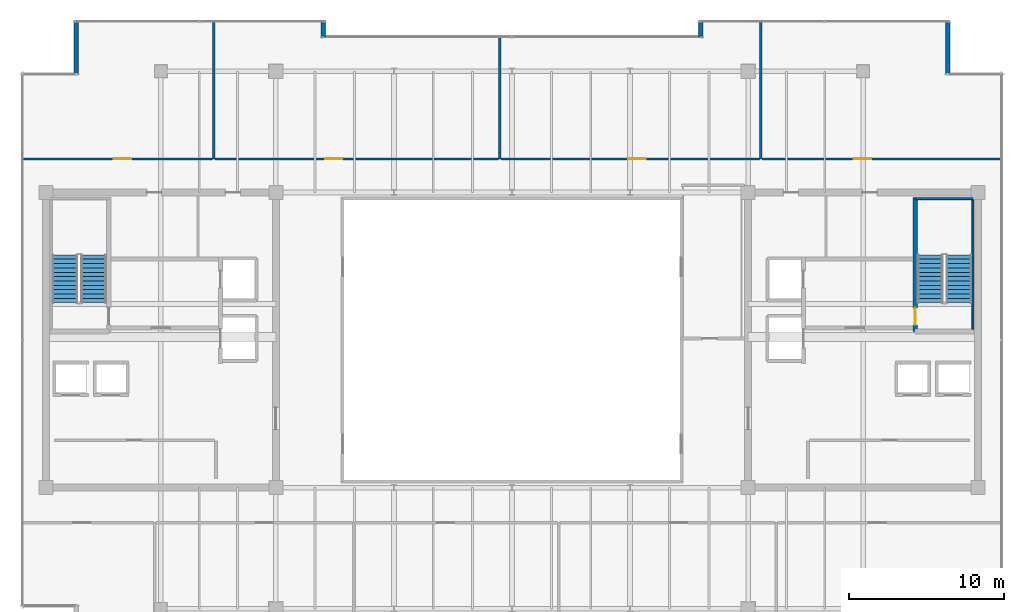
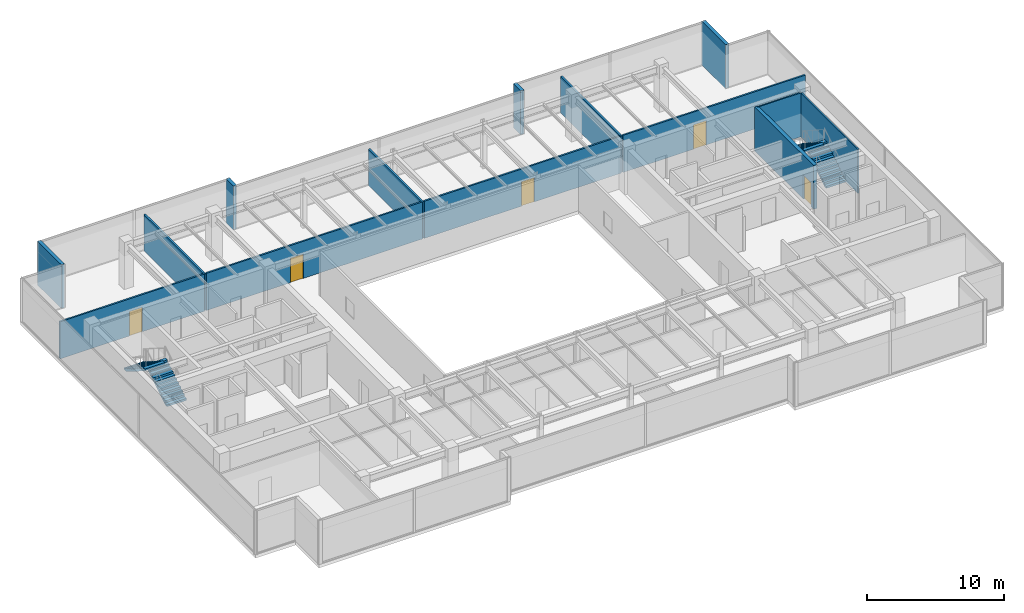
# One storey, part 29 of 34: 14 walls, 5 doors, 4 stair flights, 5 openings, 2 elements without a shape of their own.
"""IFC4 building model written with IfcOpenShell, lengths in metres."""

from ifc_helpers import new_model, si_unit, direction, frame, frame_2d, origin, place, context, subcontext, project, spatial, polyline, rectangle, outline, extrude, source, transform, mapped, material, layer, layer_set, type_object, type_shapes, element, fill, aggregate, save


model = new_model("IFC4")

# Units and contexts
model_context = context("Model", 3, precision=1e-05, world=origin(), true_north=direction((0.0, 1.0)))
body_context = subcontext(model_context, "Body", "Model", "MODEL_VIEW")
ifc_project = project(units=[si_unit("LENGTHUNIT", "METRE"), si_unit("AREAUNIT", "SQUARE_METRE"), si_unit("VOLUMEUNIT", "CUBIC_METRE"), si_unit("PLANEANGLEUNIT", "RADIAN"), si_unit("MASSUNIT", "GRAM", prefix="KILO")], contexts=[model_context])

# Site, building, storey
site_placement = place(None, origin())
site = spatial("IfcSite", under=ifc_project, at=site_placement, CompositionType="ELEMENT")
building_placement = place(site_placement, origin())
building = spatial("IfcBuilding", under=site, at=building_placement, Name="Haelvirn Gate Laboratories", CompositionType="ELEMENT")
storey_placement = place(building_placement, frame((0.0, 0.0, 322.800048828125)))
storey = spatial("IfcBuildingStorey", under=building, at=storey_placement, Name="L77", CompositionType="ELEMENT", Elevation=322.800048828125)

# Walls
ifc_material_1 = material(Name="Thermally-broken bronze aluminium rainscreen & mineral wool", Category="aluminium")
ifc_layer_1 = layer(ifc_material_1, 0.280029296875, Name="EW-TERR-280")
ifc_layer_set_1 = layer_set([ifc_layer_1], Name="Thermally-broken bronze aluminium rainscreen & mineral wool")
wall_type_1 = type_object("IfcWallType", Name="EW-TERR-280", PredefinedType="STANDARD", material=ifc_layer_set_1)
wall_1_placement = place(storey_placement, frame((65.4599609375, 41.412109375, 0.0), z_axis=(0.0, 0.0, 1.0), x_axis=(0.0, 1.0, 0.0)))
element("IfcWall", 1, at=wall_1_placement, inside=storey, type_object=wall_type_1, Name="L77 Atrium Recess Bronze Return Wall 09", PredefinedType="STANDARD", context=body_context, shape_type="SweptSolid", body=[
    extrude(rectangle(XDim=3.48779296875, YDim=0.280029296875, at=frame_2d((1.743896484375, 0.0))), origin(), (0.0, 0.0, 1.0), 3.919921875),
])
for number, where, z_axis, x_axis, name in (
    (2, (49.5400390625, 44.89990234375, 0.0), (0.0, 0.0, 1.0), (0.0, -1.0, 0.0), "L77 Atrium Recess Bronze Return Wall 11"),
    (3, (25.260009765625, 43.806884765625, 0.0), (0.0, 0.0, 1.0), (0.0, 1.0, 0.0), "L77 Atrium Recess Bronze Return Wall 13"),
):
    element("IfcWall", number, at=place(storey_placement, frame(where, z_axis=z_axis, x_axis=x_axis)), inside=storey, type_object=wall_type_1, Name=name, PredefinedType="STANDARD", context=body_context, shape_type="SweptSolid", body=[
        extrude(rectangle(XDim=1.093017578125, YDim=0.280029296875, at=frame_2d((0.54638671875, 0.0))), origin(), (0.0, 0.0, 1.0), 3.919921875),
    ])
wall_2_placement = place(storey_placement, frame((9.340087890625, 44.89990234375, 0.0), z_axis=(0.0, 0.0, 1.0), x_axis=(0.0, -1.0, 0.0)))
element("IfcWall", 4, at=wall_2_placement, inside=storey, type_object=wall_type_1, Name="L77 Atrium Recess Bronze Return Wall 15", PredefinedType="STANDARD", context=body_context, shape_type="SweptSolid", body=[
    extrude(rectangle(XDim=3.48779296875, YDim=0.280029296875, at=frame_2d((1.743896484375, 0.0))), origin(), (0.0, 0.0, 1.0), 3.919921875),
])
ifc_material_2 = material(Name="Double-layer acoustic gypsum laboratory partition", Category="gypsum")
ifc_layer_2 = layer(ifc_material_2, 0.159912109375, Name="IW-ACOUST-160")
ifc_layer_set_2 = layer_set([ifc_layer_2], Name="Double-layer acoustic gypsum laboratory partition")
wall_type_2 = type_object("IfcWallType", Name="IW-ACOUST-160", PredefinedType="PARTITIONING", material=ifc_layer_set_2)
wall_3_placement = place(storey_placement, frame((18.199951171875, 35.9599609375, 0.0), z_axis=(0.0, 0.0, 1.0), x_axis=(0.0, 1.0, 0.0)))
element("IfcWall", 5, at=wall_3_placement, inside=storey, type_object=wall_type_2, Name="L77 Interior Wall IW-L77-NDIV-01", PredefinedType="PARTITIONING", context=body_context, shape_type="SweptSolid", body=[
    extrude(rectangle(XDim=8.830078125, YDim=0.159912109375, at=frame_2d((4.4150390625, 0.0))), origin(), (0.0, 0.0, 1.0), 3.2548828125),
])
wall_4_placement = place(storey_placement, frame((36.60009765625, 35.9599609375, 0.0), z_axis=(0.0, 0.0, 1.0), x_axis=(0.0, 1.0, 0.0)))
element("IfcWall", 6, at=wall_4_placement, inside=storey, type_object=wall_type_2, Name="L77 Interior Wall IW-L77-NDIV-02", PredefinedType="PARTITIONING", context=body_context, shape_type="SweptSolid", body=[
    extrude(rectangle(XDim=7.830078125, YDim=0.159912109375, at=frame_2d((3.9150390625, 0.0))), origin(), (0.0, 0.0, 1.0), 3.2548828125),
])
wall_5_placement = place(storey_placement, frame((53.39990234375, 35.9599609375, 0.0), z_axis=(0.0, 0.0, 1.0), x_axis=(0.0, 1.0, 0.0)))
element("IfcWall", 7, at=wall_5_placement, inside=storey, type_object=wall_type_2, Name="L77 Interior Wall IW-L77-NDIV-03", PredefinedType="PARTITIONING", context=body_context, shape_type="SweptSolid", body=[
    extrude(rectangle(XDim=8.830078125, YDim=0.159912109375, at=frame_2d((4.4150390625, 0.0))), origin(), (0.0, 0.0, 1.0), 3.2548828125),
])

# Wall, opening, door
ifc_material_3 = material(Name="Acoustic mineral-wool gypsum board partition", Category="gypsum")
ifc_layer_3 = layer(ifc_material_3, 0.139892578125, Name="IW-PART-140")
ifc_layer_set_3 = layer_set([ifc_layer_3], Name="Acoustic mineral-wool gypsum board partition")
wall_type_3 = type_object("IfcWallType", Name="IW-PART-140", PredefinedType="PARTITIONING", material=ifc_layer_set_3)
wall_6_placement = place(storey_placement, frame((5.909912109375, 35.9599609375, 0.0), z_axis=(0.0, 0.0, 1.0), x_axis=(1.0, 0.0, 0.0)))
wall_6 = element("IfcWall", 8, at=wall_6_placement, inside=storey, type_object=wall_type_3, Name="L77 Interior Wall IW-L77-NCORR-01", PredefinedType="PARTITIONING", context=body_context, shape_type="SweptSolid", body=[
    extrude(rectangle(XDim=12.210205078125, YDim=0.139892578125, at=frame_2d((6.10498046875, 0.0))), origin(), (0.0, 0.0, 1.0), 3.31689453125),
])
opening_1_placement = place(wall_6_placement, frame((5.8671875, 0.0, 0.0)))
opening_1 = element("IfcOpeningElement", 9, at=opening_1_placement, cuts=wall_6, Name="Opening D1", PredefinedType="OPENING", context=body_context, shape_type="SweptSolid", body=[
    extrude(rectangle(XDim=1.10009765625, YDim=2.179931640625, at=frame_2d((0.550048828125, 1.08984375))), frame((0.0, 0.080078125, 0.0), z_axis=(0.0, -1.0, 0.0), x_axis=(1.0, 0.0, 0.0)), (0.0, 0.0, 1.0), 0.159912109375),
])
ifc_material_4 = material(Name="Vision-panel acoustic solid-core timber lab door", Category="wood")
door_type_1 = type_object("IfcDoorType", Name="DR-LAB-1100", OperationType="NOTDEFINED", PredefinedType="DOOR", material=ifc_material_4)
shared_shape_1 = source(origin(), body_context, "Body", "SweptSolid", [
    extrude(rectangle(XDim=1.10009765625, YDim=2.179931640625, at=frame_2d((0.550048828125, 1.08984375))), frame((0.0, 0.02490234375, 0.0), z_axis=(0.0, -1.0, 0.0), x_axis=(1.0, 0.0, 0.0)), (0.0, 0.0, 1.0), 0.050048828125),
])
type_shapes(door_type_1, [shared_shape_1])
door_1_placement = place(opening_1_placement, origin())
door_1 = element("IfcDoor", 10, at=door_1_placement, inside=storey, type_object=door_type_1, Name="L77 Colloquium Conference Room Door N1", OperationType="SINGLE_SWING_LEFT", OverallHeight=2.179931640625, OverallWidth=1.10009765625, PredefinedType="DOOR", context=body_context, shape_type="MappedRepresentation", body=[
    mapped(shared_shape_1, transform((0.0, 0.0, 0.0), scale=1.0)),
])
fill(opening_1, door_1)

wall_7_placement = place(storey_placement, frame((18.280029296875, 35.9599609375, 0.0), z_axis=(0.0, 0.0, 1.0), x_axis=(1.0, 0.0, 0.0)))
wall_7 = element("IfcWall", 11, at=wall_7_placement, inside=storey, type_object=wall_type_3, Name="L77 Interior Wall IW-L77-NCORR-02", PredefinedType="PARTITIONING", context=body_context, shape_type="SweptSolid", body=[
    extrude(rectangle(XDim=18.239990234375, YDim=0.139892578125, at=frame_2d((9.1201171875, 0.0))), origin(), (0.0, 0.0, 1.0), 3.31689453125),
])
opening_2_placement = place(wall_7_placement, frame((7.09033203125, 0.0, 0.0)))
opening_2 = element("IfcOpeningElement", 12, at=opening_2_placement, cuts=wall_7, Name="Opening D1", PredefinedType="OPENING", context=body_context, shape_type="SweptSolid", body=[
    extrude(rectangle(XDim=1.10009765625, YDim=2.179931640625, at=frame_2d((0.550048828125, 1.08984375))), frame((0.0, 0.080078125, 0.0), z_axis=(0.0, -1.0, 0.0), x_axis=(1.0, 0.0, 0.0)), (0.0, 0.0, 1.0), 0.159912109375),
])
door_2_placement = place(opening_2_placement, origin())
door_2 = element("IfcDoor", 13, at=door_2_placement, inside=storey, type_object=door_type_1, Name="L77 Protocol Briefing Training Room Door N2", OperationType="SINGLE_SWING_RIGHT", OverallHeight=2.179931640625, OverallWidth=1.10009765625, PredefinedType="DOOR", context=body_context, shape_type="MappedRepresentation", body=[
    mapped(shared_shape_1, transform((0.0, 0.0, 0.0), scale=1.0)),
])
fill(opening_2, door_2)

wall_8_placement = place(storey_placement, frame((36.679931640625, 35.9599609375, 0.0), z_axis=(0.0, 0.0, 1.0), x_axis=(1.0, 0.0, 0.0)))
wall_8 = element("IfcWall", 14, at=wall_8_placement, inside=storey, type_object=wall_type_3, Name="L77 Interior Wall IW-L77-NCORR-03", PredefinedType="PARTITIONING", context=body_context, shape_type="SweptSolid", body=[
    extrude(rectangle(XDim=16.64013671875, YDim=0.139892578125, at=frame_2d((8.320068359375, 0.0))), origin(), (0.0, 0.0, 1.0), 3.31689453125),
])
opening_3_placement = place(wall_8_placement, frame((8.215087890625, 0.0, 0.0)))
opening_3 = element("IfcOpeningElement", 15, at=opening_3_placement, cuts=wall_8, Name="Opening D1", PredefinedType="OPENING", context=body_context, shape_type="SweptSolid", body=[
    extrude(rectangle(XDim=1.10009765625, YDim=2.179931640625, at=frame_2d((0.550048828125, 1.08984375))), frame((0.0, 0.080078125, 0.0), z_axis=(0.0, -1.0, 0.0), x_axis=(1.0, 0.0, 0.0)), (0.0, 0.0, 1.0), 0.159912109375),
])
door_3_placement = place(opening_3_placement, origin())
door_3 = element("IfcDoor", 16, at=door_3_placement, inside=storey, type_object=door_type_1, Name="L77 Peer-Review Seminar Room Door N3", OperationType="SINGLE_SWING_LEFT", OverallHeight=2.179931640625, OverallWidth=1.10009765625, PredefinedType="DOOR", context=body_context, shape_type="MappedRepresentation", body=[
    mapped(shared_shape_1, transform((0.0, 0.0, 0.0), scale=1.0)),
])
fill(opening_3, door_3)

wall_9_placement = place(storey_placement, frame((53.47998046875, 35.9599609375, 0.0), z_axis=(0.0, 0.0, 1.0), x_axis=(1.0, 0.0, 0.0)))
wall_9 = element("IfcWall", 17, at=wall_9_placement, inside=storey, type_object=wall_type_3, Name="L77 Interior Wall IW-L77-NCORR-04", PredefinedType="PARTITIONING", context=body_context, shape_type="SweptSolid", body=[
    extrude(rectangle(XDim=15.409912109375, YDim=0.139892578125, at=frame_2d((7.705078125, 0.0))), origin(), (0.0, 0.0, 1.0), 3.31689453125),
])
opening_4_placement = place(wall_9_placement, frame((5.93017578125, 0.0, 0.0)))
opening_4 = element("IfcOpeningElement", 18, at=opening_4_placement, cuts=wall_9, Name="Opening D1", PredefinedType="OPENING", context=body_context, shape_type="SweptSolid", body=[
    extrude(rectangle(XDim=1.10009765625, YDim=2.179931640625, at=frame_2d((0.550048828125, 1.08984375))), frame((0.0, 0.080078125, 0.0), z_axis=(0.0, -1.0, 0.0), x_axis=(1.0, 0.0, 0.0)), (0.0, 0.0, 1.0), 0.159912109375),
])
door_4_placement = place(opening_4_placement, origin())
door_4 = element("IfcDoor", 19, at=door_4_placement, inside=storey, type_object=door_type_1, Name="L77 Scientific Reference Library Door N4", OperationType="SINGLE_SWING_RIGHT", OverallHeight=2.179931640625, OverallWidth=1.10009765625, PredefinedType="DOOR", context=body_context, shape_type="MappedRepresentation", body=[
    mapped(shared_shape_1, transform((0.0, 0.0, 0.0), scale=1.0)),
])
fill(opening_4, door_4)

# Walls
ifc_material_5 = material(Name="Concrete C50/60", Category="concrete")
ifc_layer_4 = layer(ifc_material_5, 0.1201171875, Name="SW-LINER-120")
ifc_layer_set_4 = layer_set([ifc_layer_4], Name="Concrete C50/60")
wall_type_4 = type_object("IfcWallType", Name="SW-LINER-120", PredefinedType="SOLIDWALL", material=ifc_layer_set_4)
wall_10_placement = place(storey_placement, frame((63.35009765625, 33.39990234375, 0.0), z_axis=(0.0, 0.0, 1.0), x_axis=(1.0, 0.0, 0.0)))
element("IfcWall", 20, at=wall_10_placement, inside=storey, type_object=wall_type_4, Name="L77 E Core Stair Shaft Liner Wall N", PredefinedType="SOLIDWALL", context=body_context, shape_type="SweptSolid", body=[
    extrude(rectangle(XDim=3.719970703125, YDim=0.1201171875, at=frame_2d((1.85986328125, 0.0))), origin(), (0.0, 0.0, 1.0), 3.919921875),
])
wall_11_placement = place(storey_placement, frame((67.070068359375, 25.0, 0.0), z_axis=(0.0, 0.0, 1.0), x_axis=(0.0, 1.0, 0.0)))
element("IfcWall", 21, at=wall_11_placement, inside=storey, type_object=wall_type_4, Name="L77 E Core Stair Shaft Liner Wall OUT", PredefinedType="SOLIDWALL", context=body_context, shape_type="SweptSolid", body=[
    extrude(rectangle(XDim=8.320068359375, YDim=0.1201171875, at=frame_2d((4.16015625, 0.0))), origin(), (0.0, 0.0, 1.0), 3.919921875),
])

# Wall, opening, door
ifc_layer_5 = layer(ifc_material_5, 0.300048828125, Name="SW-STAIR-300")
ifc_layer_set_5 = layer_set([ifc_layer_5], Name="Concrete C50/60")
wall_type_5 = type_object("IfcWallType", Name="SW-STAIR-300", PredefinedType="SHEAR", material=ifc_layer_set_5)
wall_12_placement = place(storey_placement, frame((63.35009765625, 24.85009765625, 0.0), z_axis=(0.0, 0.0, 1.0), x_axis=(0.0, 1.0, 0.0)))
wall_12 = element("IfcWall", 22, at=wall_12_placement, inside=storey, type_object=wall_type_5, Name="L77 E Core Stair Shaft Structural Wall IN", PredefinedType="SHEAR", context=body_context, shape_type="SweptSolid", body=[
    extrude(rectangle(XDim=8.6298828125, YDim=0.300048828125, at=frame_2d((4.31494140625, 0.0))), origin(), (0.0, 0.0, 1.0), 3.919921875),
])
opening_5_placement = place(wall_12_placement, frame((0.419921875, 0.0, 0.0)))
opening_5 = element("IfcOpeningElement", 23, at=opening_5_placement, cuts=wall_12, Name="Opening FD3", PredefinedType="OPENING", context=body_context, shape_type="SweptSolid", body=[
    extrude(rectangle(XDim=1.10009765625, YDim=2.14990234375, at=frame_2d((0.550048828125, 1.074951171875))), frame((0.0, 0.16015625, 0.0), z_axis=(0.0, -1.0, 0.0), x_axis=(1.0, 0.0, 0.0)), (0.0, 0.0, 1.0), 0.320068359375),
])
ifc_material_6 = material(Name="Fire-rated steel SM355 escape stair door", Category="steel")
door_type_2 = type_object("IfcDoorType", Name="DR-FD-1100", OperationType="NOTDEFINED", PredefinedType="DOOR", material=ifc_material_6)
shared_shape_2 = source(origin(), body_context, "Body", "SweptSolid", [
    extrude(rectangle(XDim=1.10009765625, YDim=2.14990234375, at=frame_2d((0.550048828125, 1.074951171875))), frame((0.0, 0.02490234375, 0.0), z_axis=(0.0, -1.0, 0.0), x_axis=(1.0, 0.0, 0.0)), (0.0, 0.0, 1.0), 0.050048828125),
])
type_shapes(door_type_2, [shared_shape_2])
door_5_placement = place(opening_5_placement, origin())
door_5 = element("IfcDoor", 24, at=door_5_placement, inside=storey, type_object=door_type_2, Name="L77 Escape Stair ST2 Fire Door", OperationType="SINGLE_SWING_RIGHT", OverallHeight=2.14990234375, OverallWidth=1.10009765625, PredefinedType="DOOR", context=body_context, shape_type="MappedRepresentation", body=[
    mapped(shared_shape_2, transform((0.0, 0.0, 0.0), scale=1.0)),
])
fill(opening_5, door_5)

# Stair, stair flights
ifc_material_7 = material(Name="Concrete C40/50", Category="concrete")
stair_type = type_object("IfcStairType", Name="ST-DOG-1650-R24", PredefinedType="HALF_TURN_STAIR", material=ifc_material_7)
stair_1_placement = place(storey_placement, origin())
stair_1 = element("IfcStair", 25, at=stair_1_placement, inside=storey, type_object=stair_type, Name="L77 Escape Stair ST1", PredefinedType="HALF_TURN_STAIR")
stair_flight_type = type_object("IfcStairFlightType", Name="STF-1650-R12", PredefinedType="STRAIGHT", material=ifc_material_7)
shared_shape_3 = source(origin(), body_context, "Body", "SweptSolid", [
    extrude(outline(polyline([(0.0, 0.0), (0.0, 0.175048828125), (0.280029296875, 0.175048828125), (0.280029296875, 0.35009765625), (0.56005859375, 0.35009765625), (0.56005859375, 0.52490234375), (0.840087890625, 0.52490234375), (0.840087890625, 0.699951171875), (1.1201171875, 0.699951171875), (1.1201171875, 0.875), (1.39990234375, 0.875), (1.39990234375, 1.050048828125), (1.679931640625, 1.050048828125), (1.679931640625, 1.22509765625), (1.9599609375, 1.22509765625), (1.9599609375, 1.39990234375), (2.239990234375, 1.39990234375), (2.239990234375, 1.574951171875), (2.52001953125, 1.574951171875), (2.52001953125, 1.75), (2.800048828125, 1.75), (2.800048828125, 1.925048828125), (3.080078125, 1.925048828125), (3.080078125, 2.10009765625), (3.080078125, 1.736328125), (0.3017578125, 0.0), (0.0, 0.0)])), frame((0.0, 0.824951171875, 0.0), z_axis=(0.0, -1.0, 0.0), x_axis=(1.0, 0.0, 0.0)), (0.0, 0.0, 1.0), 1.64990234375),
])
type_shapes(stair_flight_type, [shared_shape_3])
stair_flight_1_placement = place(storey_placement, frame((10.47509765625, 26.699951171875, 0.0), z_axis=(0.0, 0.0, 1.0), x_axis=(0.0, 1.0, 0.0)))
stair_flight_1 = element("IfcStairFlight", 26, at=stair_flight_1_placement, type_object=stair_flight_type, Name="ST1 flight 1", NumberOfRisers=12, NumberOfTreads=11, PredefinedType="STRAIGHT", RiserHeight=0.175, TreadLength=0.28, context=body_context, shape_type="MappedRepresentation", body=[
    mapped(shared_shape_3, transform((0.0, 0.0, 0.0), scale=1.0)),
])
stair_flight_2_placement = place(storey_placement, frame((8.625, 29.780029296875, 2.099853515625), z_axis=(0.0, 0.0, 1.0), x_axis=(0.0, -1.0, 0.0)))
stair_flight_2 = element("IfcStairFlight", 27, at=stair_flight_2_placement, type_object=stair_flight_type, Name="ST1 flight 2", NumberOfRisers=12, NumberOfTreads=11, PredefinedType="STRAIGHT", RiserHeight=0.175, TreadLength=0.28, context=body_context, shape_type="MappedRepresentation", body=[
    mapped(shared_shape_3, transform((0.0, 0.0, 0.0), scale=1.0)),
])
aggregate(stair_1, [stair_flight_1, stair_flight_2])

stair_2_placement = place(storey_placement, origin())
stair_2 = element("IfcStair", 28, at=stair_2_placement, inside=storey, type_object=stair_type, Name="L77 Escape Stair ST2", PredefinedType="HALF_TURN_STAIR")
stair_flight_3_placement = place(storey_placement, frame((66.175048828125, 26.699951171875, 0.0), z_axis=(0.0, 0.0, 1.0), x_axis=(0.0, 1.0, 0.0)))
stair_flight_3 = element("IfcStairFlight", 29, at=stair_flight_3_placement, type_object=stair_flight_type, Name="ST2 flight 1", NumberOfRisers=12, NumberOfTreads=11, PredefinedType="STRAIGHT", RiserHeight=0.175, TreadLength=0.28, context=body_context, shape_type="MappedRepresentation", body=[
    mapped(shared_shape_3, transform((0.0, 0.0, 0.0), scale=1.0)),
])
stair_flight_4_placement = place(storey_placement, frame((64.324951171875, 29.780029296875, 2.099853515625), z_axis=(0.0, 0.0, 1.0), x_axis=(0.0, -1.0, 0.0)))
stair_flight_4 = element("IfcStairFlight", 30, at=stair_flight_4_placement, type_object=stair_flight_type, Name="ST2 flight 2", NumberOfRisers=12, NumberOfTreads=11, PredefinedType="STRAIGHT", RiserHeight=0.175, TreadLength=0.28, context=body_context, shape_type="MappedRepresentation", body=[
    mapped(shared_shape_3, transform((0.0, 0.0, 0.0), scale=1.0)),
])
aggregate(stair_2, [stair_flight_3, stair_flight_4])

save(model, "model.ifc")
